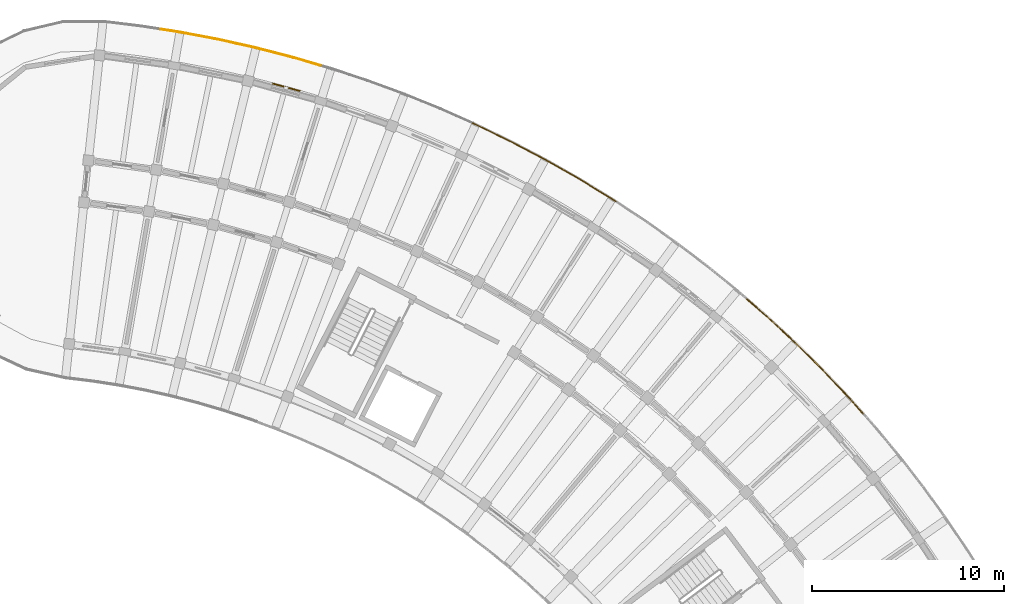
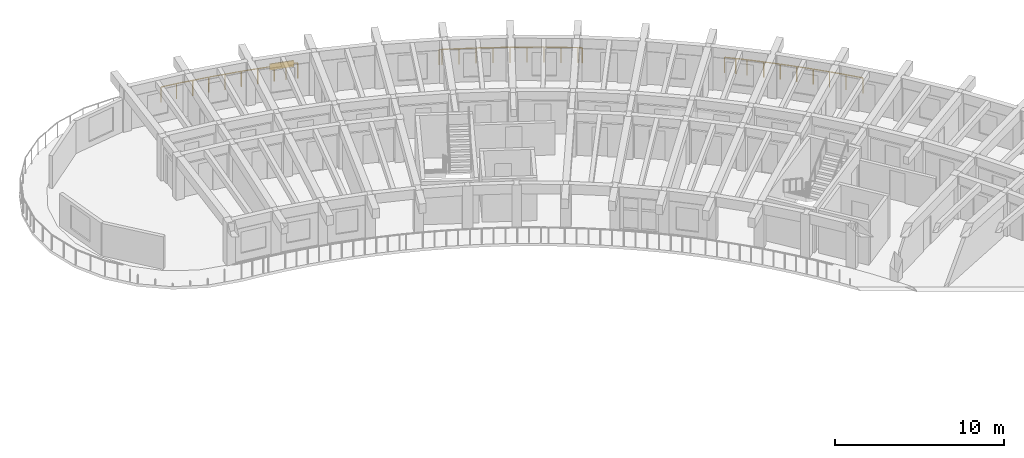
# One storey, part 69 of 69: 3 railings, 1 shading device.
"""IFC4 building model written with IfcOpenShell, lengths in metres."""

from ifc_helpers import new_model, si_unit, direction, frame, origin, origin_2d, place, context, subcontext, project, spatial, rectangle, circle, extrude, material, layer, layer_set, type_object, element, save


model = new_model("IFC4")

# Units and contexts
model_context = context("Model", 3, precision=1e-05, world=origin(), true_north=direction((0.0, 1.0)))
body_context = subcontext(model_context, "Body", "Model", "MODEL_VIEW")
ifc_project = project(units=[si_unit("LENGTHUNIT", "METRE"), si_unit("AREAUNIT", "SQUARE_METRE"), si_unit("VOLUMEUNIT", "CUBIC_METRE"), si_unit("PLANEANGLEUNIT", "RADIAN"), si_unit("MASSUNIT", "GRAM", prefix="KILO")], contexts=[model_context])

# Site, building, storey
site_placement = place(None, origin())
site = spatial("IfcSite", under=ifc_project, at=site_placement, CompositionType="ELEMENT")
building_placement = place(site_placement, origin())
building = spatial("IfcBuilding", under=site, at=building_placement, Name="Tanwirah Colonnade Gardens", CompositionType="ELEMENT")
storey_placement = place(building_placement, frame((0.0, 0.0, 15.56005859375)))
storey = spatial("IfcBuildingStorey", under=building, at=storey_placement, Name="L04", CompositionType="ELEMENT", Elevation=15.56005859375)

# Railings
ifc_material_1 = material(Name="Precast concrete C40/50", Category="concrete")
railing_type = type_object("IfcRailingType", Name="BAL-EXT112", PredefinedType="BALUSTRADE", material=ifc_material_1)
railing_1_placement = place(storey_placement, frame((130.427734375, 120.782470703125, 0.0)))
element("IfcRailing", 1, at=railing_1_placement, inside=storey, type_object=railing_type, Name="Block B L04 Balcony Ribbon Balustrade 11", PredefinedType="BALUSTRADE", context=body_context, shape_type="SweptSolid", body=[
    extrude(circle(Radius=0.02392578125, at=origin_2d()), frame((0.031005859375, -0.0048828125, 1.09619140625), z_axis=(0.988127200794, -0.153638000024, 0.0), x_axis=(0.153638000024, 0.988127200794, 0.0)), (0.0, 0.0, 1.0), 0.935302734375),
    extrude(circle(Radius=0.02392578125, at=origin_2d()), frame((1.016845703125, -0.1591796875, 1.09619140625), z_axis=(0.982549371225, -0.186001970705, 0.0), x_axis=(0.186001970705, 0.982549371225, 0.0)), (0.0, 0.0, 1.0), 1.958740234375),
    extrude(circle(Radius=0.02392578125, at=origin_2d()), frame((3.002685546875, -0.5361328125, 1.09619140625), z_axis=(0.975867729966, -0.218362482151, 0.0), x_axis=(0.218362482151, 0.975867729966, 0.0)), (0.0, 0.0, 1.0), 1.958984375),
    extrude(circle(Radius=0.02392578125, at=origin_2d()), frame((4.97509765625, -0.978515625, 1.09619140625), z_axis=(0.968157509899, -0.250341838346, 0.0), x_axis=(0.250341838346, 0.968157509899, 0.0)), (0.0, 0.0, 1.0), 1.959228515625),
    extrude(circle(Radius=0.02392578125, at=origin_2d()), frame((6.93212890625, -1.485595703125, 1.09619140625), z_axis=(0.959341160032, -0.282249072043, 0.0), x_axis=(0.282249072043, 0.959341160032, 0.0)), (0.0, 0.0, 1.0), 1.375),
    extrude(circle(Radius=0.02099609375, at=origin_2d()), origin(), (0.0, 0.0, 1.0), 1.069091796875),
    extrude(circle(Radius=0.02099609375, at=origin_2d()), frame((0.986083984375, -0.1533203125, 0.0)), (0.0, 0.0, 1.0), 1.069091796875),
    extrude(circle(Radius=0.02099609375, at=origin_2d()), frame((1.97900390625, -0.34130859375, 0.0)), (0.0, 0.0, 1.0), 1.069091796875),
    extrude(circle(Radius=0.02099609375, at=origin_2d()), frame((2.97216796875, -0.529296875, 0.0)), (0.0, 0.0, 1.0), 1.069091796875),
    extrude(circle(Radius=0.02099609375, at=origin_2d()), frame((3.95849609375, -0.75, 0.0)), (0.0, 0.0, 1.0), 1.069091796875),
    extrude(circle(Radius=0.02099609375, at=origin_2d()), frame((4.94482421875, -0.970703125, 0.0)), (0.0, 0.0, 1.0), 1.069091796875),
    extrude(circle(Radius=0.02099609375, at=origin_2d()), frame((5.92333984375, -1.2236328125, 0.0)), (0.0, 0.0, 1.0), 1.069091796875),
    extrude(circle(Radius=0.02099609375, at=origin_2d()), frame((6.902099609375, -1.476806640625, 0.0)), (0.0, 0.0, 1.0), 1.069091796875),
    extrude(circle(Radius=0.02099609375, at=origin_2d()), frame((7.591796875, -1.6796875, 0.0)), (0.0, 0.0, 1.0), 1.069091796875),
    extrude(circle(Radius=0.02099609375, at=origin_2d()), frame((8.28125, -1.882568359375, 0.0)), (0.0, 0.0, 1.0), 1.069091796875),
])
railing_2_placement = place(storey_placement, frame((146.652099609375, 115.893798828125, 0.0)))
element("IfcRailing", 2, at=railing_2_placement, inside=storey, type_object=railing_type, Name="Block B L04 Balcony Ribbon Balustrade 13", PredefinedType="BALUSTRADE", context=body_context, shape_type="SweptSolid", body=[
    extrude(circle(Radius=0.02392578125, at=origin_2d()), frame((0.028564453125, -0.0126953125, 1.09619140625), z_axis=(0.913930211461, -0.405871369499, 0.0), x_axis=(0.405871369499, 0.913930211461, 0.0)), (0.0, 0.0, 1.0), 0.107177734375),
    extrude(circle(Radius=0.02392578125, at=origin_2d()), frame((0.18310546875, -0.08251953125, 1.09619140625), z_axis=(0.900055350621, -0.435775591122, 0.0), x_axis=(0.435775591122, 0.900055350621, 0.0)), (0.0, 0.0, 1.0), 1.958740234375),
    extrude(circle(Radius=0.02392578125, at=origin_2d()), frame((2.001953125, -0.96435546875, 1.09619140625), z_axis=(0.885211446817, -0.465188880374, 0.0), x_axis=(0.465188880374, 0.885211446817, 0.0)), (0.0, 0.0, 1.0), 1.958984375),
    extrude(circle(Radius=0.02392578125, at=origin_2d()), frame((3.791015625, -1.905517578125, 1.09619140625), z_axis=(0.869392881113, -0.494121461049, 0.0), x_axis=(0.494121461049, 0.869392881113, 0.0)), (0.0, 0.0, 1.0), 1.958740234375),
    extrude(circle(Radius=0.02392578125, at=origin_2d()), frame((5.5478515625, -2.9052734375, 1.09619140625), z_axis=(0.852660263329, -0.522465764754, 0.0), x_axis=(0.522465764754, 0.852660263329, 0.0)), (0.0, 0.0, 1.0), 1.958984375),
    extrude(circle(Radius=0.02392578125, at=origin_2d()), frame((7.27099609375, -3.962158203125, 1.09619140625), z_axis=(0.834958204617, -0.550313362134, 0.0), x_axis=(0.550313362134, 0.834958204617, 0.0)), (0.0, 0.0, 1.0), 0.181884765625),
    extrude(circle(Radius=0.02099609375, at=origin_2d()), origin(), (0.0, 0.0, 1.0), 1.069091796875),
    extrude(circle(Radius=0.02099609375, at=origin_2d()), frame((0.155029296875, -0.06884765625, 0.0)), (0.0, 0.0, 1.0), 1.069091796875),
    extrude(circle(Radius=0.02099609375, at=origin_2d()), frame((1.064697265625, -0.50927734375, 0.0)), (0.0, 0.0, 1.0), 1.069091796875),
    extrude(circle(Radius=0.02099609375, at=origin_2d()), frame((1.974365234375, -0.94970703125, 0.0)), (0.0, 0.0, 1.0), 1.069091796875),
    extrude(circle(Radius=0.02099609375, at=origin_2d()), frame((2.869140625, -1.419921875, 0.0)), (0.0, 0.0, 1.0), 1.069091796875),
    extrude(circle(Radius=0.02099609375, at=origin_2d()), frame((3.763916015625, -1.89013671875, 0.0)), (0.0, 0.0, 1.0), 1.069091796875),
    extrude(circle(Radius=0.02099609375, at=origin_2d()), frame((4.642578125, -2.3896484375, 0.0)), (0.0, 0.0, 1.0), 1.069091796875),
    extrude(circle(Radius=0.02099609375, at=origin_2d()), frame((5.521240234375, -2.888916015625, 0.0)), (0.0, 0.0, 1.0), 1.069091796875),
    extrude(circle(Radius=0.02099609375, at=origin_2d()), frame((6.383056640625, -3.4169921875, 0.0)), (0.0, 0.0, 1.0), 1.069091796875),
    extrude(circle(Radius=0.02099609375, at=origin_2d()), frame((7.244873046875, -3.945068359375, 0.0)), (0.0, 0.0, 1.0), 1.069091796875),
    extrude(circle(Radius=0.02099609375, at=origin_2d()), frame((7.448974609375, -4.07958984375, 0.0)), (0.0, 0.0, 1.0), 1.069091796875),
])
railing_3_placement = place(storey_placement, frame((160.913330078125, 106.7421875, 0.0)))
element("IfcRailing", 3, at=railing_3_placement, inside=storey, type_object=railing_type, Name="Block B L04 Balcony Ribbon Balustrade 15", PredefinedType="BALUSTRADE", context=body_context, shape_type="SweptSolid", body=[
    extrude(circle(Radius=0.02392578125, at=origin_2d()), frame((0.023681640625, -0.0205078125, 1.09619140625), z_axis=(0.755322467302, -0.655353317218, 0.0), x_axis=(0.655353317218, 0.755322467302, 0.0)), (0.0, 0.0, 1.0), 1.30029296875),
    extrude(circle(Radius=0.02392578125, at=origin_2d()), frame((1.05224609375, -0.914306640625, 1.09619140625), z_axis=(0.733352454033, -0.679848643569, 0.0), x_axis=(0.679848643569, 0.733352454033, 0.0)), (0.0, 0.0, 1.0), 1.958984375),
    extrude(circle(Radius=0.02392578125, at=origin_2d()), frame((2.533935546875, -2.289306640625, 1.09619140625), z_axis=(0.710480209462, -0.703717181801, 0.0), x_axis=(0.703717181801, 0.710480209462, 0.0)), (0.0, 0.0, 1.0), 1.958984375),
    extrude(circle(Radius=0.02392578125, at=origin_2d()), frame((3.969482421875, -3.712646484375, 1.09619140625), z_axis=(0.686960364449, -0.726694886232, 0.0), x_axis=(0.726694886232, 0.686960364449, 0.0)), (0.0, 0.0, 1.0), 1.958984375),
    extrude(circle(Radius=0.02392578125, at=origin_2d()), frame((5.357421875, -5.182373046875, 1.09619140625), z_axis=(0.662667168974, -0.748914029221, 0.0), x_axis=(0.748914029221, 0.662667168974, 0.0)), (0.0, 0.0, 1.0), 1.01025390625),
    extrude(circle(Radius=0.02099609375, at=origin_2d()), origin(), (0.0, 0.0, 1.0), 1.069091796875),
    extrude(circle(Radius=0.02099609375, at=origin_2d()), frame((0.5146484375, -0.446533203125, 0.0)), (0.0, 0.0, 1.0), 1.069091796875),
    extrude(circle(Radius=0.02099609375, at=origin_2d()), frame((1.029296875, -0.89306640625, 0.0)), (0.0, 0.0, 1.0), 1.069091796875),
    extrude(circle(Radius=0.02099609375, at=origin_2d()), frame((1.7705078125, -1.580078125, 0.0)), (0.0, 0.0, 1.0), 1.069091796875),
    extrude(circle(Radius=0.02099609375, at=origin_2d()), frame((2.51171875, -2.267333984375, 0.0)), (0.0, 0.0, 1.0), 1.069091796875),
    extrude(circle(Radius=0.02099609375, at=origin_2d()), frame((3.22998046875, -2.978515625, 0.0)), (0.0, 0.0, 1.0), 1.069091796875),
    extrude(circle(Radius=0.02099609375, at=origin_2d()), frame((3.947998046875, -3.68994140625, 0.0)), (0.0, 0.0, 1.0), 1.069091796875),
    extrude(circle(Radius=0.02099609375, at=origin_2d()), frame((4.642333984375, -4.42431640625, 0.0)), (0.0, 0.0, 1.0), 1.069091796875),
    extrude(circle(Radius=0.02099609375, at=origin_2d()), frame((5.336669921875, -5.158935546875, 0.0)), (0.0, 0.0, 1.0), 1.069091796875),
    extrude(circle(Radius=0.02099609375, at=origin_2d()), frame((6.047607421875, -5.96240234375, 0.0)), (0.0, 0.0, 1.0), 1.069091796875),
])

# Shading device
ifc_material_2 = material(Name="Perforated architectural bronze aluminium", Category="aluminium")
ifc_layer = layer(ifc_material_2, 0.050048828125)
ifc_layer_set = layer_set([ifc_layer], Name="Perforated architectural bronze aluminium")
shading_device_type = type_object("IfcShadingDeviceType", Name="SHD-OVH1", PredefinedType="SHUTTER", material=ifc_layer_set)
shading_device_placement = place(storey_placement, frame((136.947998046875, 117.764404296875, 2.0048828125), z_axis=(0.0, 0.0, 1.0), x_axis=(-0.963888748144, 0.266305240659, 0.0)))
element("IfcShadingDevice", 4, at=shading_device_placement, inside=storey, type_object=shading_device_type, Name="Solar shading louver hood B-L04-15", PredefinedType="SHUTTER", context=body_context, shape_type="SweptSolid", body=[
    extrude(rectangle(XDim=1.47998046875, YDim=0.06005859375, at=origin_2d()), origin(), (0.0, 0.0, 1.0), 0.449951171875),
])

save(model, "model.ifc")
